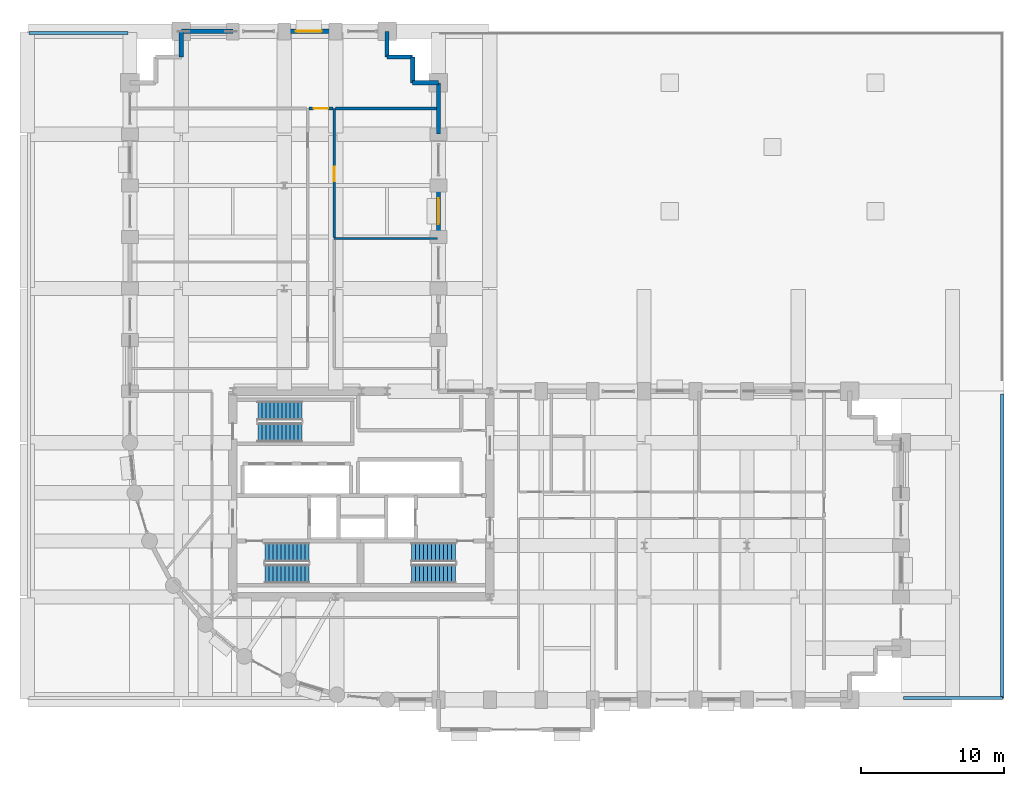
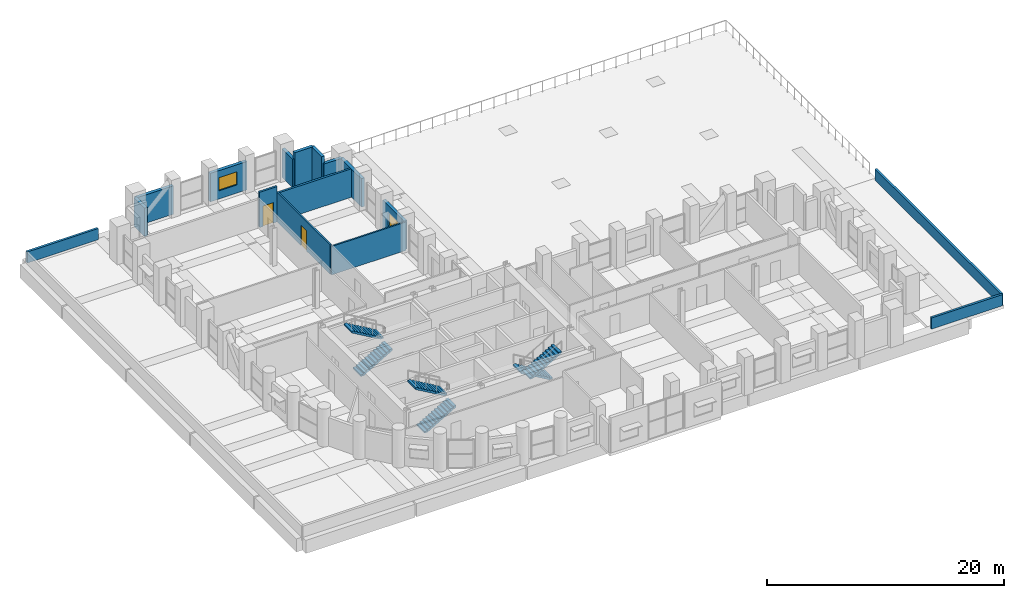
# One storey, part 37 of 39: 16 walls, 6 stair flights, 2 doors, 2 windows, 4 openings, 3 elements without a shape of their own.
"""IFC4 building model written with IfcOpenShell, lengths in metres."""

from ifc_helpers import new_model, si_unit, direction, frame, frame_2d, origin, place, context, subcontext, project, spatial, polyline, rectangle, outline, extrude, material, layer, layer_set, type_object, element, fill, aggregate, save


model = new_model("IFC4")

# Units and contexts
model_context = context("Model", 3, precision=1e-05, world=origin(), true_north=direction((0.0, 1.0)))
body_context = subcontext(model_context, "Body", "Model", "MODEL_VIEW")
ifc_project = project(units=[si_unit("LENGTHUNIT", "METRE"), si_unit("AREAUNIT", "SQUARE_METRE"), si_unit("VOLUMEUNIT", "CUBIC_METRE"), si_unit("PLANEANGLEUNIT", "RADIAN"), si_unit("MASSUNIT", "GRAM", prefix="KILO")], contexts=[model_context])

# Site, building, storey
site_placement = place(None, origin())
site = spatial("IfcSite", under=ifc_project, at=site_placement, CompositionType="ELEMENT")
building_placement = place(site_placement, origin())
building = spatial("IfcBuilding", under=site, at=building_placement, Name="Solnavia Interchange Tower", CompositionType="ELEMENT")
storey_placement = place(building_placement, frame((0.0, 0.0, 24.0)))
storey = spatial("IfcBuildingStorey", under=building, at=storey_placement, Name="L05", CompositionType="ELEMENT", Elevation=24.0)

# Wall
ifc_material_1 = material(Name="Gypsum Acoustic Twin-Stud & Mineral Wool", Category="gypsum")
ifc_layer_1 = layer(ifc_material_1, 0.199951171875)
ifc_layer_set_1 = layer_set([ifc_layer_1], Name="Gypsum Acoustic Twin-Stud & Mineral Wool")
wall_type_1 = type_object("IfcWallType", Name="Wall-ApartmentParty-200", PredefinedType="PARTITIONING", material=ifc_layer_set_1)
wall_1_placement = place(storey_placement, frame((21.5791015625, 45.0, 0.0), z_axis=(0.0, 0.0, 1.0), x_axis=(1.0, 0.0, 0.0)))
element("IfcWall", 1, at=wall_1_placement, inside=storey, type_object=wall_type_1, Name="PTW-L05-36 Interior partition wall", PredefinedType="PARTITIONING", context=body_context, shape_type="SweptSolid", body=[
    extrude(rectangle(XDim=7.06689453125, YDim=0.199951171875, at=frame_2d((3.533447265625, 0.0))), origin(), (0.0, 0.0, 1.0), 2.929931640625),
])

# Wall, opening, door
wall_2_placement = place(storey_placement, frame((19.72900390625, 45.0, 0.0), z_axis=(0.0, 0.0, 1.0), x_axis=(1.0, 0.0, 0.0)))
wall_2 = element("IfcWall", 2, at=wall_2_placement, inside=storey, type_object=wall_type_1, Name="PTW-L05-37 Interior partition wall", PredefinedType="PARTITIONING", context=body_context, shape_type="SweptSolid", body=[
    extrude(rectangle(XDim=1.69189453125, YDim=0.199951171875, at=frame_2d((0.845947265625, 0.0))), origin(), (0.0, 0.0, 1.0), 3.635009765625),
])
opening_1_placement = place(wall_2_placement, frame((0.339111328125, 0.0, 0.0)))
opening_1 = element("IfcOpeningElement", 3, at=opening_1_placement, cuts=wall_2, Name="Opening DR-06", PredefinedType="OPENING", context=body_context, shape_type="SweptSolid", body=[
    extrude(rectangle(XDim=1.0, YDim=2.10009765625, at=frame_2d((0.5, 1.050048828125))), frame((0.0, 0.10986328125, 0.0), z_axis=(0.0, -1.0, 0.0), x_axis=(1.0, 0.0, 0.0)), (0.0, 0.0, 1.0), 0.219970703125),
])
ifc_material_2 = material(Name="Engineered Timber Acoustic Fire Door", Category="wood")
door_type_1 = type_object("IfcDoorType", Name="Door-FlatEntry-1000x2100", OperationType="SINGLE_SWING_LEFT", PredefinedType="DOOR", material=ifc_material_2)
door_1_placement = place(opening_1_placement, origin())
door_1 = element("IfcDoor", 4, at=door_1_placement, inside=storey, type_object=door_type_1, Name="DR-L05-17 Interior room door", OperationType="SINGLE_SWING_LEFT", OverallHeight=2.10009765625, OverallWidth=1.0, PredefinedType="DOOR", context=body_context, shape_type="SweptSolid", body=[
    extrude(rectangle(XDim=1.0, YDim=2.10009765625, at=frame_2d((0.5, 1.050048828125))), frame((0.0, 0.02490234375, 0.0), z_axis=(0.0, -1.0, 0.0), x_axis=(1.0, 0.0, 0.0)), (0.0, 0.0, 1.0), 0.050048828125),
])
fill(opening_1, door_1)

# Wall, opening, window
ifc_material_3 = material(Name="Concrete C40/50", Category="concrete")
ifc_layer_2 = layer(ifc_material_3, 0.300048828125)
ifc_layer_set_2 = layer_set([ifc_layer_2], Name="Concrete C40/50")
wall_type_2 = type_object("IfcWallType", Name="Wall-ExtSpandrel-300", PredefinedType="STANDARD", material=ifc_layer_set_2)
wall_3_placement = place(storey_placement, frame((28.800048828125, 36.0, 0.0), z_axis=(0.0, 0.0, 1.0), x_axis=(0.0, 1.0, 0.0)))
wall_3 = element("IfcWall", 5, at=wall_3_placement, inside=storey, type_object=wall_type_2, Name="EXW-L05-35 Exterior precast spandrel wall", PredefinedType="STANDARD", context=body_context, shape_type="SweptSolid", body=[
    extrude(rectangle(XDim=3.60009765625, YDim=0.300048828125, at=frame_2d((1.800048828125, 0.0))), origin(), (0.0, 0.0, 1.0), 2.929931640625),
])
opening_2_placement = place(wall_3_placement, frame((0.89990234375, 0.0, 0.85009765625)))
opening_2 = element("IfcOpeningElement", 6, at=opening_2_placement, cuts=wall_3, Name="Opening WIN-02", PredefinedType="OPENING", context=body_context, shape_type="SweptSolid", body=[
    extrude(rectangle(XDim=1.800048828125, YDim=1.35009765625, at=frame_2d((0.89990234375, 0.675048828125))), frame((0.0, 0.16015625, 0.0), z_axis=(0.0, -1.0, 0.0), x_axis=(1.0, 0.0, 0.0)), (0.0, 0.0, 1.0), 0.320068359375),
])
ifc_material_4 = material(Name="Thermal-Break Aluminium & Low-E Glass", Category="aluminium")
window_type = type_object("IfcWindowType", Name="Window-Ribbon-1800x1350", PartitioningType="SINGLE_PANEL", PredefinedType="WINDOW", material=ifc_material_4)
window_1_placement = place(opening_2_placement, origin())
window_1 = element("IfcWindow", 7, at=window_1_placement, inside=storey, type_object=window_type, Name="WIN-L05-35 Facade ribbon window", OverallHeight=1.35009765625, OverallWidth=1.800048828125, PartitioningType="SINGLE_PANEL", PredefinedType="WINDOW", context=body_context, shape_type="SweptSolid", body=[
    extrude(rectangle(XDim=1.800048828125, YDim=1.35009765625, at=frame_2d((0.89990234375, 0.675048828125))), frame((0.0, 0.030029296875, 0.0), z_axis=(0.0, -1.0, 0.0), x_axis=(1.0, 0.0, 0.0)), (0.0, 0.0, 1.0), 0.06005859375),
])
fill(opening_2, window_1)

# Walls
wall_4_placement = place(storey_placement, frame((28.800048828125, 43.199951171875, 0.0), z_axis=(0.0, 0.0, 1.0), x_axis=(0.0, 1.0, 0.0)))
element("IfcWall", 8, at=wall_4_placement, inside=storey, type_object=wall_type_2, Name="EXW-L05-37 Exterior precast spandrel wall", PredefinedType="STANDARD", context=body_context, shape_type="SweptSolid", body=[
    extrude(rectangle(XDim=3.60009765625, YDim=0.300048828125, at=frame_2d((1.800048828125, 0.0))), origin(), (0.0, 0.0, 1.0), 2.929931640625),
])
wall_5_placement = place(storey_placement, frame((27.0, 46.800048828125, 0.0), z_axis=(0.0, 0.0, 1.0), x_axis=(1.0, 0.0, 0.0)))
element("IfcWall", 9, at=wall_5_placement, inside=storey, type_object=wall_type_2, Name="EXW-L05-38 Exterior precast spandrel wall", PredefinedType="STANDARD", context=body_context, shape_type="SweptSolid", body=[
    extrude(rectangle(XDim=1.800048828125, YDim=0.300048828125, at=frame_2d((0.89990234375, 0.0))), origin(), (0.0, 0.0, 1.0), 2.929931640625),
])
for number, where, z_axis, x_axis, name in (
    (10, (27.0, 46.800048828125, 0.0), (0.0, 0.0, 1.0), (0.0, 1.0, 0.0), "EXW-L05-39 Exterior precast spandrel wall"),
    (11, (25.199951171875, 48.60009765625, 0.0), (0.0, 0.0, 1.0), (1.0, 0.0, 0.0), "EXW-L05-40 Exterior precast spandrel wall"),
):
    element("IfcWall", number, at=place(storey_placement, frame(where, z_axis=z_axis, x_axis=x_axis)), inside=storey, type_object=wall_type_2, Name=name, PredefinedType="STANDARD", context=body_context, shape_type="SweptSolid", body=[
        extrude(rectangle(XDim=1.800048828125, YDim=0.300048828125, at=frame_2d((0.89990234375, 0.0))), origin(), (0.0, 0.0, 1.0), 3.635009765625),
    ])
wall_6_placement = place(storey_placement, frame((25.199951171875, 48.60009765625, 0.0), z_axis=(0.0, 0.0, 1.0), x_axis=(0.0, 1.0, 0.0)))
element("IfcWall", 12, at=wall_6_placement, inside=storey, type_object=wall_type_2, Name="EXW-L05-41 Exterior precast spandrel wall", PredefinedType="STANDARD", context=body_context, shape_type="SweptSolid", body=[
    extrude(rectangle(XDim=1.7998046875, YDim=0.300048828125, at=frame_2d((0.89990234375, 0.0))), origin(), (0.0, 0.0, 1.0), 2.929931640625),
])

# Wall, opening, window
wall_7_placement = place(storey_placement, frame((18.0, 50.39990234375, 0.0), z_axis=(0.0, 0.0, 1.0), x_axis=(1.0, 0.0, 0.0)))
wall_7 = element("IfcWall", 13, at=wall_7_placement, inside=storey, type_object=wall_type_2, Name="EXW-L05-43 Exterior precast spandrel wall", PredefinedType="STANDARD", context=body_context, shape_type="SweptSolid", body=[
    extrude(rectangle(XDim=3.60009765625, YDim=0.300048828125, at=frame_2d((1.800048828125, 0.0))), origin(), (0.0, 0.0, 1.0), 2.929931640625),
])
opening_3_placement = place(wall_7_placement, frame((0.824951171875, 0.0, 0.85009765625)))
opening_3 = element("IfcOpeningElement", 14, at=opening_3_placement, cuts=wall_7, Name="Opening WIN-02", PredefinedType="OPENING", context=body_context, shape_type="SweptSolid", body=[
    extrude(rectangle(XDim=1.800048828125, YDim=1.35009765625, at=frame_2d((0.89990234375, 0.675048828125))), frame((0.0, 0.16015625, 0.0), z_axis=(0.0, -1.0, 0.0), x_axis=(1.0, 0.0, 0.0)), (0.0, 0.0, 1.0), 0.320068359375),
])
window_2_placement = place(opening_3_placement, origin())
window_2 = element("IfcWindow", 15, at=window_2_placement, inside=storey, type_object=window_type, Name="WIN-L05-43 Facade ribbon window", OverallHeight=1.35009765625, OverallWidth=1.800048828125, PartitioningType="SINGLE_PANEL", PredefinedType="WINDOW", context=body_context, shape_type="SweptSolid", body=[
    extrude(rectangle(XDim=1.800048828125, YDim=1.35009765625, at=frame_2d((0.89990234375, 0.675048828125))), frame((0.0, 0.030029296875, 0.0), z_axis=(0.0, -1.0, 0.0), x_axis=(1.0, 0.0, 0.0)), (0.0, 0.0, 1.0), 0.06005859375),
])
fill(opening_3, window_2)

# Walls
wall_8_placement = place(storey_placement, frame((10.800048828125, 50.39990234375, 0.0), z_axis=(0.0, 0.0, 1.0), x_axis=(1.0, 0.0, 0.0)))
element("IfcWall", 16, at=wall_8_placement, inside=storey, type_object=wall_type_2, Name="EXW-L05-45 Exterior precast spandrel wall", PredefinedType="STANDARD", context=body_context, shape_type="SweptSolid", body=[
    extrude(rectangle(XDim=3.599853515625, YDim=0.300048828125, at=frame_2d((1.7998046875, 0.0))), origin(), (0.0, 0.0, 1.0), 2.929931640625),
])
wall_9_placement = place(storey_placement, frame((10.800048828125, 48.60009765625, 0.0), z_axis=(0.0, 0.0, 1.0), x_axis=(0.0, 1.0, 0.0)))
element("IfcWall", 17, at=wall_9_placement, inside=storey, type_object=wall_type_2, Name="EXW-L05-46 Exterior precast spandrel wall", PredefinedType="STANDARD", context=body_context, shape_type="SweptSolid", body=[
    extrude(rectangle(XDim=1.7998046875, YDim=0.300048828125, at=frame_2d((0.89990234375, 0.0))), origin(), (0.0, 0.0, 1.0), 2.929931640625),
])
ifc_layer_3 = layer(ifc_material_3, 0.219970703125)
ifc_layer_set_3 = layer_set([ifc_layer_3], Name="Concrete C40/50")
wall_type_3 = type_object("IfcWallType", Name="Wall-Parapet-220", PredefinedType="PARAPET", material=ifc_layer_set_3)
wall_10_placement = place(storey_placement, frame((68.280029296875, 25.0, 0.0), z_axis=(0.0, 0.0, 1.0), x_axis=(0.0, -1.0, 0.0)))
element("IfcWall", 18, at=wall_10_placement, inside=storey, type_object=wall_type_3, Name="PRP-L05-E1 Podium roof east maintenance parapet", PredefinedType="PARAPET", context=body_context, shape_type="SweptSolid", body=[
    extrude(rectangle(XDim=21.280029296875, YDim=0.219970703125, at=frame_2d((10.64013671875, 0.0))), origin(), (0.0, 0.0, 1.0), 1.14990234375),
])
for number, where, z_axis, x_axis, name in (
    (19, (68.280029296875, 3.719970703125, 0.0), (0.0, 0.0, 1.0), (-1.0, 0.0, 0.0), "PRP-L05-E2 Podium roof south-east maintenance parapet"),
    (20, (7.050048828125, 50.280029296875, 0.0), (0.0, 0.0, 1.0), (-1.0, 0.0, 0.0), "PRP-L05-W1 Podium roof west-north parapet"),
):
    element("IfcWall", number, at=place(storey_placement, frame(where, z_axis=z_axis, x_axis=x_axis)), inside=storey, type_object=wall_type_3, Name=name, PredefinedType="PARAPET", context=body_context, shape_type="SweptSolid", body=[
        extrude(rectangle(XDim=6.929931640625, YDim=0.219970703125, at=frame_2d((3.46484375, 0.0))), origin(), (0.0, 0.0, 1.0), 1.14990234375),
    ])
ifc_material_5 = material(Name="Gypsum Plasterboard & Steel Stud", Category="steel")
ifc_layer_4 = layer(ifc_material_5, 0.14990234375)
ifc_layer_set_4 = layer_set([ifc_layer_4], Name="Gypsum Plasterboard & Steel Stud")
wall_type_4 = type_object("IfcWallType", Name="Wall-Partition-150", PredefinedType="PARTITIONING", material=ifc_layer_set_4)
wall_11_placement = place(storey_placement, frame((21.5, 35.89990234375, 0.0), z_axis=(0.0, 0.0, 1.0), x_axis=(1.0, 0.0, 0.0)))
element("IfcWall", 21, at=wall_11_placement, inside=storey, type_object=wall_type_4, Name="PTW-L05-32 Interior partition wall", PredefinedType="PARTITIONING", context=body_context, shape_type="SweptSolid", body=[
    extrude(rectangle(XDim=7.24609375, YDim=0.14990234375, at=frame_2d((3.623046875, 0.0))), origin(), (0.0, 0.0, 1.0), 2.929931640625),
])

# Wall, opening, door
wall_12_placement = place(storey_placement, frame((21.5, 35.97900390625, 0.0), z_axis=(0.0, 0.0, 1.0), x_axis=(0.0, 1.0, 0.0)))
wall_12 = element("IfcWall", 22, at=wall_12_placement, inside=storey, type_object=wall_type_4, Name="PTW-L05-34 Interior partition wall", PredefinedType="PARTITIONING", context=body_context, shape_type="SweptSolid", body=[
    extrude(rectangle(XDim=9.02099609375, YDim=0.14990234375, at=frame_2d((4.510498046875, 0.0))), origin(), (0.0, 0.0, 1.0), 3.030029296875),
])
opening_4_placement = place(wall_12_placement, frame((3.930908203125, 0.0, 0.0)))
opening_4 = element("IfcOpeningElement", 23, at=opening_4_placement, cuts=wall_12, Name="Opening DR-07", PredefinedType="OPENING", context=body_context, shape_type="SweptSolid", body=[
    extrude(rectangle(XDim=1.0, YDim=2.10009765625, at=frame_2d((0.5, 1.050048828125))), frame((0.0, 0.0849609375, 0.0), z_axis=(0.0, -1.0, 0.0), x_axis=(1.0, 0.0, 0.0)), (0.0, 0.0, 1.0), 0.169921875),
])
ifc_material_6 = material(Name="Timber & Acoustic Glazed Office Door", Category="wood")
door_type_2 = type_object("IfcDoorType", Name="Door-Office-1000x2100", OperationType="SINGLE_SWING_RIGHT", PredefinedType="DOOR", material=ifc_material_6)
door_2_placement = place(opening_4_placement, origin())
door_2 = element("IfcDoor", 24, at=door_2_placement, inside=storey, type_object=door_type_2, Name="DR-L05-16 Interior room door", OperationType="SINGLE_SWING_LEFT", OverallHeight=2.10009765625, OverallWidth=1.0, PredefinedType="DOOR", context=body_context, shape_type="SweptSolid", body=[
    extrude(rectangle(XDim=1.0, YDim=2.10009765625, at=frame_2d((0.5, 1.050048828125))), frame((0.0, 0.02490234375, 0.0), z_axis=(0.0, -1.0, 0.0), x_axis=(1.0, 0.0, 0.0)), (0.0, 0.0, 1.0), 0.050048828125),
])
fill(opening_4, door_2)

# Stair, stair flights
stair_type = type_object("IfcStairType", Name="Stair-Dogleg-RC", PredefinedType="HALF_TURN_STAIR", material=ifc_material_3)
stair_1_placement = place(storey_placement, origin())
stair_1 = element("IfcStair", 25, at=stair_1_placement, inside=storey, type_object=stair_type, Name="L05 Core exit stair 1", PredefinedType="HALF_TURN_STAIR")
stair_flight_type = type_object("IfcStairFlightType", Name="StairFlight-RC-150", PredefinedType="STRAIGHT", material=ifc_material_3)
stair_flight_1_placement = place(storey_placement, frame((16.64990234375, 12.409912109375, 0.0), z_axis=(0.0, 0.0, 1.0), x_axis=(1.0, 0.0, 0.0)))
stair_flight_1 = element("IfcStairFlight", 26, at=stair_flight_1_placement, type_object=stair_flight_type, Name="ST-1 flight 1", NumberOfRisers=12, NumberOfTreads=11, PredefinedType="STRAIGHT", RiserHeight=0.1625, TreadLength=0.28, context=body_context, shape_type="SweptSolid", body=[
    extrude(outline(polyline([(0.0, 0.0), (0.0, 0.16259765625), (0.280029296875, 0.16259765625), (0.280029296875, 0.324951171875), (0.56005859375, 0.324951171875), (0.56005859375, 0.487548828125), (0.840087890625, 0.487548828125), (0.840087890625, 0.64990234375), (1.1201171875, 0.64990234375), (1.1201171875, 0.8125), (1.39990234375, 0.8125), (1.39990234375, 0.97509765625), (1.679931640625, 0.97509765625), (1.679931640625, 1.137451171875), (1.9599609375, 1.137451171875), (1.9599609375, 1.300048828125), (2.239990234375, 1.300048828125), (2.239990234375, 1.46240234375), (2.52001953125, 1.46240234375), (2.52001953125, 1.625), (2.800048828125, 1.625), (2.800048828125, 1.78759765625), (3.080078125, 1.78759765625), (3.080078125, 1.949951171875), (3.080078125, 1.6142578125), (0.298583984375, 0.0), (0.0, 0.0)])), frame((0.0, 0.66015625, 0.0), z_axis=(0.0, -1.0, 0.0), x_axis=(1.0, 0.0, 0.0)), (0.0, 0.0, 1.0), 1.320068359375),
])
stair_flight_2_placement = place(storey_placement, frame((19.72998046875, 13.929931640625, 1.949951171875), z_axis=(0.0, 0.0, 1.0), x_axis=(-1.0, 0.0, 0.0)))
stair_flight_2 = element("IfcStairFlight", 27, at=stair_flight_2_placement, type_object=stair_flight_type, Name="ST-1 flight 2", NumberOfRisers=12, NumberOfTreads=11, PredefinedType="STRAIGHT", RiserHeight=0.1625, TreadLength=0.28, context=body_context, shape_type="SweptSolid", body=[
    extrude(outline(polyline([(0.0, 0.0), (0.0, 0.16259765625), (0.280029296875, 0.16259765625), (0.280029296875, 0.324951171875), (0.56005859375, 0.324951171875), (0.56005859375, 0.487548828125), (0.840087890625, 0.487548828125), (0.840087890625, 0.64990234375), (1.1201171875, 0.64990234375), (1.1201171875, 0.8125), (1.39990234375, 0.8125), (1.39990234375, 0.97509765625), (1.679931640625, 0.97509765625), (1.679931640625, 1.137451171875), (1.9599609375, 1.137451171875), (1.9599609375, 1.300048828125), (2.239990234375, 1.300048828125), (2.239990234375, 1.46240234375), (2.52001953125, 1.46240234375), (2.52001953125, 1.625), (2.800048828125, 1.625), (2.800048828125, 1.78759765625), (3.080078125, 1.78759765625), (3.080078125, 1.949951171875), (3.080078125, 1.6142578125), (0.298583984375, 0.0), (0.0, 0.0)])), frame((0.0, 0.66015625, 0.0), z_axis=(0.0, -1.0, 0.0), x_axis=(1.0, 0.0, 0.0)), (0.0, 0.0, 1.0), 1.320068359375),
])
aggregate(stair_1, [stair_flight_1, stair_flight_2])

stair_2_placement = place(storey_placement, origin())
stair_2 = element("IfcStair", 28, at=stair_2_placement, inside=storey, type_object=stair_type, Name="L05 Core exit stair 2", PredefinedType="HALF_TURN_STAIR")
stair_flight_3_placement = place(storey_placement, frame((30.0, 13.929931640625, 0.0), z_axis=(0.0, 0.0, 1.0), x_axis=(-1.0, 0.0, 0.0)))
stair_flight_3 = element("IfcStairFlight", 29, at=stair_flight_3_placement, type_object=stair_flight_type, Name="ST-2 flight 1", NumberOfRisers=12, NumberOfTreads=11, PredefinedType="STRAIGHT", RiserHeight=0.1625, TreadLength=0.28, context=body_context, shape_type="SweptSolid", body=[
    extrude(outline(polyline([(0.0, 0.0), (0.0, 0.16259765625), (0.280029296875, 0.16259765625), (0.280029296875, 0.324951171875), (0.56005859375, 0.324951171875), (0.56005859375, 0.487548828125), (0.840087890625, 0.487548828125), (0.840087890625, 0.64990234375), (1.1201171875, 0.64990234375), (1.1201171875, 0.8125), (1.39990234375, 0.8125), (1.39990234375, 0.97509765625), (1.679931640625, 0.97509765625), (1.679931640625, 1.137451171875), (1.9599609375, 1.137451171875), (1.9599609375, 1.300048828125), (2.239990234375, 1.300048828125), (2.239990234375, 1.46240234375), (2.52001953125, 1.46240234375), (2.52001953125, 1.625), (2.800048828125, 1.625), (2.800048828125, 1.78759765625), (3.080078125, 1.78759765625), (3.080078125, 1.949951171875), (3.080078125, 1.6142578125), (0.298583984375, 0.0), (0.0, 0.0)])), frame((0.0, 0.66015625, 0.0), z_axis=(0.0, -1.0, 0.0), x_axis=(1.0, 0.0, 0.0)), (0.0, 0.0, 1.0), 1.320068359375),
])
stair_flight_4_placement = place(storey_placement, frame((26.919921875, 12.409912109375, 1.949951171875), z_axis=(0.0, 0.0, 1.0), x_axis=(1.0, 0.0, 0.0)))
stair_flight_4 = element("IfcStairFlight", 30, at=stair_flight_4_placement, type_object=stair_flight_type, Name="ST-2 flight 2", NumberOfRisers=12, NumberOfTreads=11, PredefinedType="STRAIGHT", RiserHeight=0.1625, TreadLength=0.28, context=body_context, shape_type="SweptSolid", body=[
    extrude(outline(polyline([(0.0, 0.0), (0.0, 0.16259765625), (0.280029296875, 0.16259765625), (0.280029296875, 0.324951171875), (0.56005859375, 0.324951171875), (0.56005859375, 0.487548828125), (0.840087890625, 0.487548828125), (0.840087890625, 0.64990234375), (1.1201171875, 0.64990234375), (1.1201171875, 0.8125), (1.39990234375, 0.8125), (1.39990234375, 0.97509765625), (1.679931640625, 0.97509765625), (1.679931640625, 1.137451171875), (1.9599609375, 1.137451171875), (1.9599609375, 1.300048828125), (2.239990234375, 1.300048828125), (2.239990234375, 1.46240234375), (2.52001953125, 1.46240234375), (2.52001953125, 1.625), (2.800048828125, 1.625), (2.800048828125, 1.78759765625), (3.080078125, 1.78759765625), (3.080078125, 1.949951171875), (3.080078125, 1.6142578125), (0.298583984375, 0.0), (0.0, 0.0)])), frame((0.0, 0.66015625, 0.0), z_axis=(0.0, -1.0, 0.0), x_axis=(1.0, 0.0, 0.0)), (0.0, 0.0, 1.0), 1.320068359375),
])
aggregate(stair_2, [stair_flight_3, stair_flight_4])

stair_3_placement = place(storey_placement, origin())
stair_3 = element("IfcStair", 31, at=stair_3_placement, inside=storey, type_object=stair_type, Name="L05 Core exit stair 3", PredefinedType="HALF_TURN_STAIR")
stair_flight_5_placement = place(storey_placement, frame((16.14990234375, 22.31005859375, 0.0), z_axis=(0.0, 0.0, 1.0), x_axis=(1.0, 0.0, 0.0)))
stair_flight_5 = element("IfcStairFlight", 32, at=stair_flight_5_placement, type_object=stair_flight_type, Name="ST-3 flight 1", NumberOfRisers=12, NumberOfTreads=11, PredefinedType="STRAIGHT", RiserHeight=0.1625, TreadLength=0.28, context=body_context, shape_type="SweptSolid", body=[
    extrude(outline(polyline([(0.0, 0.0), (0.0, 0.16259765625), (0.280029296875, 0.16259765625), (0.280029296875, 0.324951171875), (0.56005859375, 0.324951171875), (0.56005859375, 0.487548828125), (0.840087890625, 0.487548828125), (0.840087890625, 0.64990234375), (1.1201171875, 0.64990234375), (1.1201171875, 0.8125), (1.39990234375, 0.8125), (1.39990234375, 0.97509765625), (1.679931640625, 0.97509765625), (1.679931640625, 1.137451171875), (1.9599609375, 1.137451171875), (1.9599609375, 1.300048828125), (2.239990234375, 1.300048828125), (2.239990234375, 1.46240234375), (2.52001953125, 1.46240234375), (2.52001953125, 1.625), (2.800048828125, 1.625), (2.800048828125, 1.78759765625), (3.080078125, 1.78759765625), (3.080078125, 1.949951171875), (3.080078125, 1.6142578125), (0.298583984375, 0.0), (0.0, 0.0)])), frame((0.0, 0.66015625, 0.0), z_axis=(0.0, -1.0, 0.0), x_axis=(1.0, 0.0, 0.0)), (0.0, 0.0, 1.0), 1.320068359375),
])
stair_flight_6_placement = place(storey_placement, frame((19.22998046875, 23.830078125, 1.949951171875), z_axis=(0.0, 0.0, 1.0), x_axis=(-1.0, 0.0, 0.0)))
stair_flight_6 = element("IfcStairFlight", 33, at=stair_flight_6_placement, type_object=stair_flight_type, Name="ST-3 flight 2", NumberOfRisers=12, NumberOfTreads=11, PredefinedType="STRAIGHT", RiserHeight=0.1625, TreadLength=0.28, context=body_context, shape_type="SweptSolid", body=[
    extrude(outline(polyline([(0.0, 0.0), (0.0, 0.16259765625), (0.280029296875, 0.16259765625), (0.280029296875, 0.324951171875), (0.56005859375, 0.324951171875), (0.56005859375, 0.487548828125), (0.840087890625, 0.487548828125), (0.840087890625, 0.64990234375), (1.1201171875, 0.64990234375), (1.1201171875, 0.8125), (1.39990234375, 0.8125), (1.39990234375, 0.97509765625), (1.679931640625, 0.97509765625), (1.679931640625, 1.137451171875), (1.9599609375, 1.137451171875), (1.9599609375, 1.300048828125), (2.239990234375, 1.300048828125), (2.239990234375, 1.46240234375), (2.52001953125, 1.46240234375), (2.52001953125, 1.625), (2.800048828125, 1.625), (2.800048828125, 1.78759765625), (3.080078125, 1.78759765625), (3.080078125, 1.949951171875), (3.080078125, 1.6142578125), (0.298583984375, 0.0), (0.0, 0.0)])), frame((0.0, 0.66015625, 0.0), z_axis=(0.0, -1.0, 0.0), x_axis=(1.0, 0.0, 0.0)), (0.0, 0.0, 1.0), 1.320068359375),
])
aggregate(stair_3, [stair_flight_5, stair_flight_6])

save(model, "model.ifc")
